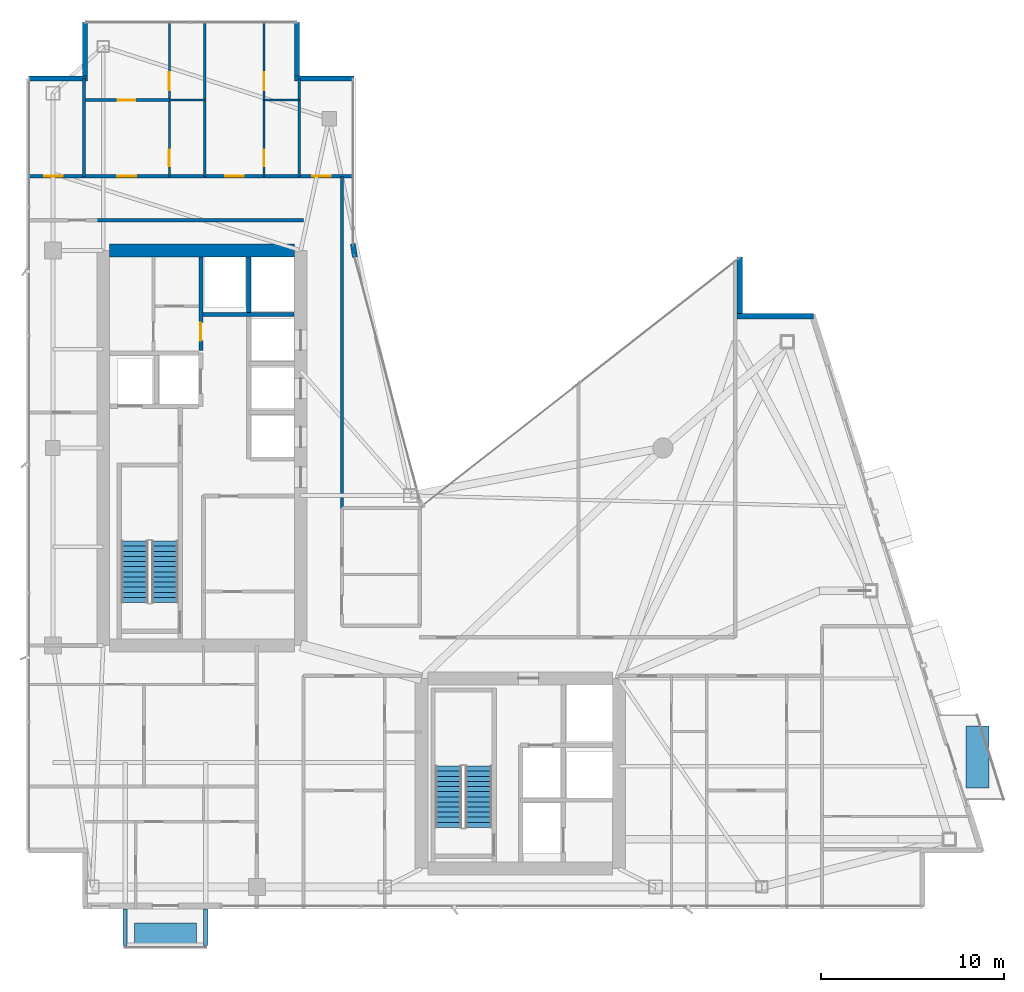
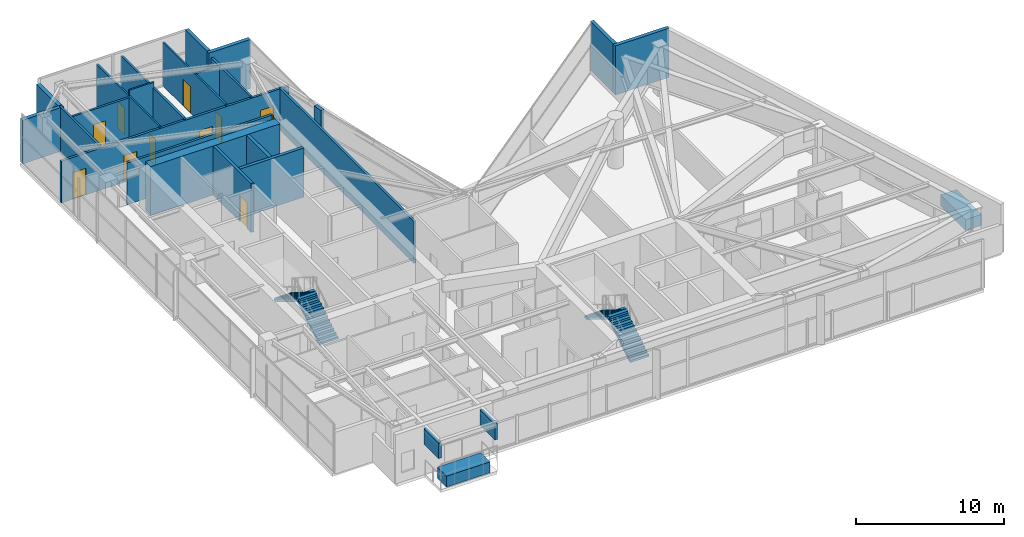
# One storey, part 26 of 29: 22 walls, 10 doors, 4 discrete accessories, 4 stair flights, 10 openings, 2 elements without a shape of their own.
"""IFC4 building model written with IfcOpenShell, lengths in metres."""

import ifcopenshell
import ifcopenshell.guid

model = None  # the IFC model being written
_history = None  # IfcOwnerHistory: only IFC2X3 demands one
_inside = {}  # id of a spatial element -> (the spatial element, [elements in it])
_under = {}  # id of a project, library or spatial element -> (it, [spatial elements below it])
_declared = {}  # id of a project -> (the project, [libraries it declares])
_typed = {}  # id of a type object -> (the type object, [elements of that type])
_made_of = {}  # id of a material, layer set ... -> (it, [elements and type objects made of it])


def new_model(schema):
    """Start an empty IFC model of exactly this schema.

    Asked for "IFC4X3", IfcOpenShell would pick the latest addendum, in which some entities
    have other attributes; the version numbers below select the first issue.
    IFC2X3 requires an IfcOwnerHistory on every rooted entity: one is made here for all.
    """
    global model, _history
    if schema == "IFC4X3":
        model = ifcopenshell.file(schema_version=(4, 3, 0, 0))
    else:
        model = ifcopenshell.file(schema=schema)
    _inside.clear()
    _under.clear()
    _declared.clear()
    _typed.clear()
    _made_of.clear()
    _history = None
    if model.schema == "IFC2X3":
        org = make("IfcOrganization", Name="unknown")
        user = make(
            "IfcPersonAndOrganization",
            ThePerson=make("IfcPerson", FamilyName="unknown"),
            TheOrganization=org,
        )
        app = make(
            "IfcApplication",
            ApplicationDeveloper=org,
            Version="unknown",
            ApplicationFullName="unknown",
            ApplicationIdentifier="unknown",
        )
        _history = make(
            "IfcOwnerHistory",
            OwningUser=user,
            OwningApplication=app,
            ChangeAction="ADDED",
            CreationDate=0,
        )
    return model


def make(cls, **values):
    """One entity of the class cls with the attributes given. An attribute that is None is left unset."""
    return model.create_entity(
        cls, **{name: value for name, value in values.items() if value is not None}
    )


def rooted(cls, **values):
    """An entity with a GlobalId (a new one), such as an element, a storey or a relation."""
    return make(cls, GlobalId=ifcopenshell.guid.new(), OwnerHistory=_history, **values)


def si_unit(unit_type, name, prefix=None):
    """IfcSIUnit, for example si_unit("LENGTHUNIT", "METRE", prefix="MILLI")."""
    return make("IfcSIUnit", UnitType=unit_type, Prefix=prefix, Name=name)


def assignment(units):
    """IfcUnitAssignment: the units of a project."""
    return None if units is None else make("IfcUnitAssignment", Units=units)


def point(xyz):
    """IfcCartesianPoint."""
    return None if xyz is None else make("IfcCartesianPoint", Coordinates=xyz)


def direction(xyz):
    """IfcDirection."""
    return None if xyz is None else make("IfcDirection", DirectionRatios=xyz)


def frame(location, z_axis=None, x_axis=None):
    """IfcAxis2Placement3D, a coordinate frame: its origin and axes. An axis left out is left unset."""
    return make(
        "IfcAxis2Placement3D",
        Location=point(location),
        Axis=direction(z_axis),
        RefDirection=direction(x_axis),
    )


def frame_2d(location, x_axis=None):
    """IfcAxis2Placement2D, a coordinate frame in the plane: its origin and x axis."""
    return make(
        "IfcAxis2Placement2D", Location=point(location), RefDirection=direction(x_axis)
    )


def origin():
    """The frame at (0, 0, 0) with its axes left unset."""
    return frame((0.0, 0.0, 0.0))


def origin_2d():
    """The frame at (0, 0) in the plane with its x axis left unset."""
    return frame_2d((0.0, 0.0))


def place(relative_to, where):
    """IfcLocalPlacement: puts the frame where relative to a parent placement (None: the world)."""
    return make(
        "IfcLocalPlacement", PlacementRelTo=relative_to, RelativePlacement=where
    )


def context(
    kind, dimensions, precision=None, world=None, true_north=None, identifier=None
):
    """IfcGeometricRepresentationContext, for example the 3D "Model" context."""
    return make(
        "IfcGeometricRepresentationContext",
        ContextIdentifier=identifier,
        ContextType=kind,
        CoordinateSpaceDimension=dimensions,
        Precision=precision,
        WorldCoordinateSystem=world,
        TrueNorth=true_north,
    )


def subcontext(parent, identifier, kind, view, scale=None):
    """IfcGeometricRepresentationSubContext, for example "Body" below "Model"."""
    return make(
        "IfcGeometricRepresentationSubContext",
        ContextIdentifier=identifier,
        ContextType=kind,
        ParentContext=parent,
        TargetScale=scale,
        TargetView=view,
    )


def project(units=None, contexts=None):
    """IfcProject with its units and contexts."""
    return rooted(
        "IfcProject",
        Name="project",
        RepresentationContexts=contexts,
        UnitsInContext=assignment(units),
    )


def spatial(cls, under=None, at=None, **own):
    """A site, building, storey or space (cls), placed at a placement, below another one or the project."""
    s = rooted(cls, ObjectPlacement=at, **own)
    if under is not None:
        _under.setdefault(under.id(), (under, []))[1].append(s)
    return s


def polyline(points):
    """IfcPolyline through the points."""
    return make("IfcPolyline", Points=[point(p) for p in points])


def profile(cls, at=None, kind="AREA", **sizes):
    """A parametric profile (cls). Its sizes go by their IFC names, for example OverallWidth=200.0."""
    return make(cls, ProfileType=kind, Position=at, **sizes)


def rectangle(**sizes):
    """IfcRectangleProfileDef."""
    return profile("IfcRectangleProfileDef", **sizes)


def outline(outer, holes=None, kind="AREA"):
    """IfcArbitraryClosedProfileDef: a profile drawn as a closed curve; with holes, ...WithVoids."""
    if holes is None:
        return make("IfcArbitraryClosedProfileDef", ProfileType=kind, OuterCurve=outer)
    return make(
        "IfcArbitraryProfileDefWithVoids",
        ProfileType=kind,
        OuterCurve=outer,
        InnerCurves=holes,
    )


def extrude(swept, where, along, depth):
    """IfcExtrudedAreaSolid: the profile swept, set in the frame where, extruded along a direction by depth."""
    return make(
        "IfcExtrudedAreaSolid",
        SweptArea=swept,
        Position=where,
        ExtrudedDirection=direction(along),
        Depth=depth,
    )


def shape(context_of_items, identifier, shape_type, items):
    """IfcShapeRepresentation: the items that make up one representation, for example the "Body"."""
    return make(
        "IfcShapeRepresentation",
        ContextOfItems=context_of_items,
        RepresentationIdentifier=identifier,
        RepresentationType=shape_type,
        Items=items,
    )


def material(Name=None, Category=None):
    """IfcMaterial."""
    return make("IfcMaterial", Name=Name, Category=Category)


def layer(
    of_material, thickness, ventilated=None, Name=None, Category=None, Priority=None
):
    """IfcMaterialLayer: one layer of a wall or slab, of a material (None: an air gap)."""
    return make(
        "IfcMaterialLayer",
        Material=of_material,
        LayerThickness=thickness,
        IsVentilated=ventilated,
        Name=Name,
        Category=Category,
        Priority=Priority,
    )


def layer_set(layers, Name=None):
    """IfcMaterialLayerSet."""
    return make("IfcMaterialLayerSet", MaterialLayers=layers, LayerSetName=Name)


def made_of(thing, what):
    """Note that an element or type object is made of a material, layer set ...; save() writes the relation."""
    if what is not None:
        _made_of.setdefault(what.id(), (what, []))[1].append(thing)
    return thing


def type_object(cls, material=None, **own):
    """A type object (cls), such as IfcWallType, which elements share."""
    return made_of(rooted(cls, **own), material)


def element(
    cls,
    number,
    at=None,
    inside=None,
    cuts=None,
    type_object=None,
    material=None,
    context=None,
    identifier="Body",
    shape_type=None,
    held_by="IfcProductDefinitionShape",
    body=None,
    shapes=None,
    **own,
):
    """One element of the class cls, such as IfcWall. Its Tag is "e" and its number.

    at: its placement. inside: the storey or other place that contains it. cuts: it is an
    opening in that element (IfcRelVoidsElement). A single representation is given by context,
    identifier, shape_type and body (its items); several are given by shapes. held_by: the class
    of the entity that holds the representations. save() writes the other relations.
    """
    e = rooted(cls, Tag="e%d" % number, ObjectPlacement=at, **own)
    if body is not None:
        shapes = [shape(context, identifier, shape_type, body)]
    if shapes is not None:
        e.Representation = make(held_by, Representations=shapes)
    if inside is not None:
        _inside.setdefault(inside.id(), (inside, []))[1].append(e)
    if cuts is not None:
        rooted(
            "IfcRelVoidsElement", RelatingBuildingElement=cuts, RelatedOpeningElement=e
        )
    if type_object is not None:
        _typed.setdefault(type_object.id(), (type_object, []))[1].append(e)
    return made_of(e, material)


def fill(opening, filler):
    """IfcRelFillsElement: the door or window that sits in an opening."""
    return rooted(
        "IfcRelFillsElement",
        RelatingOpeningElement=opening,
        RelatedBuildingElement=filler,
    )


def aggregate(whole, parts):
    """IfcRelAggregates: a whole, such as a stair, and the parts it consists of."""
    return rooted("IfcRelAggregates", RelatingObject=whole, RelatedObjects=parts)


def save(model, path):
    """Write the relations noted so far, then the file.

    IfcRelAggregates (storeys below a building ...), IfcRelContainedInSpatialStructure (elements
    in a storey), IfcRelDefinesByType, IfcRelAssociatesMaterial and IfcRelDeclares: one each for
    every whole, place, type object, material and project.
    """
    for whole, parts in _under.values():
        aggregate(whole, parts)
    for where, things in _inside.values():
        rooted(
            "IfcRelContainedInSpatialStructure",
            RelatedElements=things,
            RelatingStructure=where,
        )
    for kind, things in _typed.values():
        rooted("IfcRelDefinesByType", RelatedObjects=things, RelatingType=kind)
    for what, things in _made_of.values():
        rooted("IfcRelAssociatesMaterial", RelatedObjects=things, RelatingMaterial=what)
    for by, libraries in _declared.values():
        rooted("IfcRelDeclares", RelatingContext=by, RelatedDefinitions=libraries)
    model.write(path)


model = new_model("IFC4")

# Units and contexts
model_context = context("Model", 3, precision=1e-05, world=origin(), true_north=direction((0.0, 1.0)))
body_context = subcontext(model_context, "Body", "Model", "MODEL_VIEW")
ifc_project = project(units=[si_unit("LENGTHUNIT", "METRE"), si_unit("AREAUNIT", "SQUARE_METRE"), si_unit("VOLUMEUNIT", "CUBIC_METRE"), si_unit("PLANEANGLEUNIT", "RADIAN"), si_unit("MASSUNIT", "GRAM", prefix="KILO")], contexts=[model_context])

# Site, building, storey
site_placement = place(None, origin())
site = spatial("IfcSite", under=ifc_project, at=site_placement, CompositionType="ELEMENT")
building_placement = place(site_placement, origin())
building = spatial("IfcBuilding", under=site, at=building_placement, Name="Calvorn Quay Hotel", CompositionType="ELEMENT")
storey_placement = place(building_placement, frame((0.0, 0.0, 214.800048828125)))
storey = spatial("IfcBuildingStorey", under=building, at=storey_placement, Name="L53", CompositionType="ELEMENT", Elevation=214.800048828125)

# Wall
ifc_material_1 = material(Name="Concrete C45", Category="concrete")
ifc_layer_1 = layer(ifc_material_1, 0.699951171875)
ifc_layer_set_1 = layer_set([ifc_layer_1], Name="WL-CORE-700")
wall_type_1 = type_object("IfcWallType", Name="WL-CORE-700", PredefinedType="SHEAR", material=ifc_layer_set_1)
wall_1_placement = place(storey_placement, frame((4.550048828125, 38.39990234375, 0.0), z_axis=(0.0, 0.0, 1.0), x_axis=(1.0, 0.0, 0.0)))
element("IfcWall", 1, at=wall_1_placement, inside=storey, type_object=wall_type_1, Name="West Core Shear Wall N (L53)", PredefinedType="SHEAR", context=body_context, shape_type="SweptSolid", body=[
    extrude(rectangle(XDim=10.099853515625, YDim=0.699951171875, at=frame_2d((5.0498046875, 0.0))), origin(), (0.0, 0.0, 1.0), 4.050048828125),
])

# Wall, openings, doors
ifc_material_2 = material(Name="Acoustic Fireboard Steel-Stud Partition", Category="steel")
ifc_layer_2 = layer(ifc_material_2, 0.179931640625)
ifc_layer_set_2 = layer_set([ifc_layer_2], Name="WL-CORR-FIRE-180")
wall_type_2 = type_object("IfcWallType", Name="WL-CORR-FIRE-180", PredefinedType="PARTITIONING", material=ifc_layer_set_2)
wall_2_placement = place(storey_placement, frame((0.080078125, 42.449951171875, 0.0), z_axis=(0.0, 0.0, 1.0), x_axis=(1.0, 0.0, 0.0)))
wall_2 = element("IfcWall", 2, at=wall_2_placement, inside=storey, type_object=wall_type_2, Name="Partition Wall L53-WL-CORR-NW-N", PredefinedType="PARTITIONING", context=body_context, shape_type="SweptSolid", body=[
    extrude(rectangle(XDim=17.77001953125, YDim=0.179931640625, at=frame_2d((8.885009765625, 0.0))), origin(), (0.0, 0.0, 1.0), 3.449951171875),
])
opening_1_placement = place(wall_2_placement, frame((0.89990234375, 0.0, 0.0)))
opening_1 = element("IfcOpeningElement", 3, at=opening_1_placement, cuts=wall_2, Name="Opening D-L53-NWW", PredefinedType="OPENING", context=body_context, shape_type="SweptSolid", body=[
    extrude(rectangle(XDim=1.02001953125, YDim=2.199951171875, at=frame_2d((0.510009765625, 1.10009765625))), frame((0.0, 0.099853515625, 0.0), z_axis=(0.0, -1.0, 0.0), x_axis=(1.0, 0.0, 0.0)), (0.0, 0.0, 1.0), 0.199951171875),
])
opening_2_placement = place(wall_2_placement, frame((4.89990234375, 0.0, 0.0)))
opening_2 = element("IfcOpeningElement", 4, at=opening_2_placement, cuts=wall_2, Name="Opening D-L53-U04", PredefinedType="OPENING", context=body_context, shape_type="SweptSolid", body=[
    extrude(rectangle(XDim=1.02001953125, YDim=2.199951171875, at=frame_2d((0.510009765625, 1.10009765625))), frame((0.0, 0.099853515625, 0.0), z_axis=(0.0, -1.0, 0.0), x_axis=(1.0, 0.0, 0.0)), (0.0, 0.0, 1.0), 0.199951171875),
])
opening_3_placement = place(wall_2_placement, frame((10.780029296875, 0.0, 0.0)))
opening_3 = element("IfcOpeningElement", 5, at=opening_3_placement, cuts=wall_2, Name="Opening D-L53-U05", PredefinedType="OPENING", context=body_context, shape_type="SweptSolid", body=[
    extrude(rectangle(XDim=1.02001953125, YDim=2.199951171875, at=frame_2d((0.510009765625, 1.10009765625))), frame((0.0, 0.099853515625, 0.0), z_axis=(0.0, -1.0, 0.0), x_axis=(1.0, 0.0, 0.0)), (0.0, 0.0, 1.0), 0.199951171875),
])
opening_4_placement = place(wall_2_placement, frame((15.550048828125, 0.0, 0.0)))
opening_4 = element("IfcOpeningElement", 6, at=opening_4_placement, cuts=wall_2, Name="Opening D-L53-NWE", PredefinedType="OPENING", context=body_context, shape_type="SweptSolid", body=[
    extrude(rectangle(XDim=1.02001953125, YDim=2.199951171875, at=frame_2d((0.510009765625, 1.10009765625))), frame((0.0, 0.099853515625, 0.0), z_axis=(0.0, -1.0, 0.0), x_axis=(1.0, 0.0, 0.0)), (0.0, 0.0, 1.0), 0.199951171875),
])
ifc_material_3 = material(Name="Solid-Core Walnut Veneer Hotel Fire Door")
door_type_1 = type_object("IfcDoorType", Name="DR-GUEST-ENTRY-1020", OperationType="NOTDEFINED", PredefinedType="DOOR", material=ifc_material_3)
door_1_placement = place(opening_1_placement, origin())
door_1 = element("IfcDoor", 7, at=door_1_placement, inside=storey, type_object=door_type_1, Name="West Corner Study Door (L53)", OperationType="SINGLE_SWING_LEFT", OverallHeight=2.199951171875, OverallWidth=1.02001953125, PredefinedType="DOOR", context=body_context, shape_type="SweptSolid", body=[
    extrude(rectangle(XDim=1.02001953125, YDim=2.199951171875, at=frame_2d((0.510009765625, 1.10009765625))), frame((0.0, 0.02490234375, 0.0), z_axis=(0.0, -1.0, 0.0), x_axis=(1.0, 0.0, 0.0)), (0.0, 0.0, 1.0), 0.050048828125),
])
fill(opening_1, door_1)
door_2_placement = place(opening_2_placement, origin())
door_2 = element("IfcDoor", 8, at=door_2_placement, inside=storey, type_object=door_type_1, Name="North-West Unit Door U04 (L53)", OperationType="SINGLE_SWING_RIGHT", OverallHeight=2.199951171875, OverallWidth=1.02001953125, PredefinedType="DOOR", context=body_context, shape_type="SweptSolid", body=[
    extrude(rectangle(XDim=1.02001953125, YDim=2.199951171875, at=frame_2d((0.510009765625, 1.10009765625))), frame((0.0, 0.02490234375, 0.0), z_axis=(0.0, -1.0, 0.0), x_axis=(1.0, 0.0, 0.0)), (0.0, 0.0, 1.0), 0.050048828125),
])
fill(opening_2, door_2)
door_3_placement = place(opening_3_placement, origin())
door_3 = element("IfcDoor", 9, at=door_3_placement, inside=storey, type_object=door_type_1, Name="North-West Unit Door U05 (L53)", OperationType="SINGLE_SWING_LEFT", OverallHeight=2.199951171875, OverallWidth=1.02001953125, PredefinedType="DOOR", context=body_context, shape_type="SweptSolid", body=[
    extrude(rectangle(XDim=1.02001953125, YDim=2.199951171875, at=frame_2d((0.510009765625, 1.10009765625))), frame((0.0, 0.02490234375, 0.0), z_axis=(0.0, -1.0, 0.0), x_axis=(1.0, 0.0, 0.0)), (0.0, 0.0, 1.0), 0.050048828125),
])
fill(opening_3, door_3)
door_4_placement = place(opening_4_placement, origin())
door_4 = element("IfcDoor", 10, at=door_4_placement, inside=storey, type_object=door_type_1, Name="Inner Court Study Door (L53)", OperationType="SINGLE_SWING_RIGHT", OverallHeight=2.199951171875, OverallWidth=1.02001953125, PredefinedType="DOOR", context=body_context, shape_type="SweptSolid", body=[
    extrude(rectangle(XDim=1.02001953125, YDim=2.199951171875, at=frame_2d((0.510009765625, 1.10009765625))), frame((0.0, 0.02490234375, 0.0), z_axis=(0.0, -1.0, 0.0), x_axis=(1.0, 0.0, 0.0)), (0.0, 0.0, 1.0), 0.050048828125),
])
fill(opening_4, door_4)

# Walls
wall_3_placement = place(storey_placement, frame((17.25, 24.300048828125, 0.0), z_axis=(0.0, 0.0, 1.0), x_axis=(0.0, 1.0, 0.0)))
element("IfcWall", 11, at=wall_3_placement, inside=storey, type_object=wall_type_2, Name="Partition Wall L53-WL-NW-CLOSURE-E", PredefinedType="PARTITIONING", context=body_context, shape_type="SweptSolid", body=[
    extrude(rectangle(XDim=18.14990234375, YDim=0.179931640625, at=frame_2d((9.074951171875, 0.0))), origin(), (0.0, 0.0, 1.0), 3.449951171875),
])
wall_4_placement = place(storey_placement, frame((3.830078125, 40.050048828125, 0.0), z_axis=(0.0, 0.0, 1.0), x_axis=(1.0, 0.0, 0.0)))
element("IfcWall", 12, at=wall_4_placement, inside=storey, type_object=wall_type_2, Name="Partition Wall L53-WL-W-SPUR-S", PredefinedType="PARTITIONING", context=body_context, shape_type="SweptSolid", body=[
    extrude(rectangle(XDim=11.31982421875, YDim=0.179931640625, at=frame_2d((5.659912109375, 0.0))), origin(), (0.0, 0.0, 1.0), 3.449951171875),
])
ifc_material_4 = material(Name="Moisture-Resistant Tile-Backed Partition")
ifc_layer_3 = layer(ifc_material_4, 0.125)
ifc_layer_set_3 = layer_set([ifc_layer_3], Name="WL-ENSUITE-125")
wall_type_3 = type_object("IfcWallType", Name="WL-ENSUITE-125", PredefinedType="PARTITIONING", material=ifc_layer_set_3)
wall_5_placement = place(storey_placement, frame((7.820068359375, 46.6201171875, 0.0), z_axis=(0.0, 0.0, 1.0), x_axis=(1.0, 0.0, 0.0)))
element("IfcWall", 13, at=wall_5_placement, inside=storey, type_object=wall_type_3, Name="Partition Wall L53-WL-U04-BDV", PredefinedType="PARTITIONING", context=body_context, shape_type="SweptSolid", body=[
    extrude(rectangle(XDim=1.929931640625, YDim=0.125, at=frame_2d((0.96484375, 0.0))), origin(), (0.0, 0.0, 1.0), 4.050048828125),
])

# Wall, openings, doors
wall_6_placement = place(storey_placement, frame((7.820068359375, 42.449951171875, 0.0), z_axis=(0.0, 0.0, 1.0), x_axis=(0.0, 1.0, 0.0)))
wall_6 = element("IfcWall", 14, at=wall_6_placement, inside=storey, type_object=wall_type_3, Name="Partition Wall L53-WL-U04-BV", PredefinedType="PARTITIONING", context=body_context, shape_type="SweptSolid", body=[
    extrude(rectangle(XDim=8.489990234375, YDim=0.125, at=frame_2d((4.2451171875, 0.0))), origin(), (0.0, 0.0, 1.0), 3.599853515625),
])
opening_5_placement = place(wall_6_placement, frame((0.550048828125, 0.0, 0.0)))
opening_5 = element("IfcOpeningElement", 15, at=opening_5_placement, cuts=wall_6, Name="Opening D-L53-E04", PredefinedType="OPENING", context=body_context, shape_type="SweptSolid", body=[
    extrude(rectangle(XDim=0.89990234375, YDim=2.14990234375, at=frame_2d((0.449951171875, 1.074951171875))), frame((0.0, 0.072509765625, 0.0), z_axis=(0.0, -1.0, 0.0), x_axis=(1.0, 0.0, 0.0)), (0.0, 0.0, 1.0), 0.14501953125),
])
opening_6_placement = place(wall_6_placement, frame((4.719970703125, 0.0, 0.0)))
opening_6 = element("IfcOpeningElement", 16, at=opening_6_placement, cuts=wall_6, Name="Opening D-L53-S04", PredefinedType="OPENING", context=body_context, shape_type="SweptSolid", body=[
    extrude(rectangle(XDim=0.9599609375, YDim=2.199951171875, at=frame_2d((0.47998046875, 1.10009765625))), frame((0.0, 0.072509765625, 0.0), z_axis=(0.0, -1.0, 0.0), x_axis=(1.0, 0.0, 0.0)), (0.0, 0.0, 1.0), 0.14501953125),
])
ifc_material_5 = material(Name="Moisture-Sealed Timber En-Suite Door", Category="wood")
door_type_2 = type_object("IfcDoorType", Name="DR-ENSUITE-900", OperationType="NOTDEFINED", PredefinedType="DOOR", material=ifc_material_5)
door_5_placement = place(opening_5_placement, origin())
door_5 = element("IfcDoor", 17, at=door_5_placement, inside=storey, type_object=door_type_2, Name="En-Suite Door 04", OperationType="SINGLE_SWING_LEFT", OverallHeight=2.14990234375, OverallWidth=0.89990234375, PredefinedType="DOOR", context=body_context, shape_type="SweptSolid", body=[
    extrude(rectangle(XDim=0.89990234375, YDim=2.14990234375, at=frame_2d((0.449951171875, 1.074951171875))), frame((0.0, 0.02490234375, 0.0), z_axis=(0.0, -1.0, 0.0), x_axis=(1.0, 0.0, 0.0)), (0.0, 0.0, 1.0), 0.050048828125),
])
fill(opening_5, door_5)
ifc_material_6 = material(Name="Solid Timber Internal Suite Door", Category="wood")
door_type_3 = type_object("IfcDoorType", Name="DR-SUITE-INT-960", OperationType="NOTDEFINED", PredefinedType="DOOR", material=ifc_material_6)
door_6_placement = place(opening_6_placement, origin())
door_6 = element("IfcDoor", 18, at=door_6_placement, inside=storey, type_object=door_type_3, Name="Walk-In Wardrobe Door 04", OperationType="SINGLE_SWING_RIGHT", OverallHeight=2.199951171875, OverallWidth=0.9599609375, PredefinedType="DOOR", context=body_context, shape_type="SweptSolid", body=[
    extrude(rectangle(XDim=0.9599609375, YDim=2.199951171875, at=frame_2d((0.47998046875, 1.10009765625))), frame((0.0, 0.02490234375, 0.0), z_axis=(0.0, -1.0, 0.0), x_axis=(1.0, 0.0, 0.0)), (0.0, 0.0, 1.0), 0.050048828125),
])
fill(opening_6, door_6)

# Wall
wall_7_placement = place(storey_placement, frame((12.989990234375, 46.6201171875, 0.0), z_axis=(0.0, 0.0, 1.0), x_axis=(1.0, 0.0, 0.0)))
element("IfcWall", 19, at=wall_7_placement, inside=storey, type_object=wall_type_3, Name="Partition Wall L53-WL-U05-BDV", PredefinedType="PARTITIONING", context=body_context, shape_type="SweptSolid", body=[
    extrude(rectangle(XDim=1.929931640625, YDim=0.125, at=frame_2d((0.96484375, 0.0))), origin(), (0.0, 0.0, 1.0), 3.599853515625),
])

# Wall, openings, doors
wall_8_placement = place(storey_placement, frame((12.989990234375, 42.449951171875, 0.0), z_axis=(0.0, 0.0, 1.0), x_axis=(0.0, 1.0, 0.0)))
wall_8 = element("IfcWall", 20, at=wall_8_placement, inside=storey, type_object=wall_type_3, Name="Partition Wall L53-WL-U05-BV", PredefinedType="PARTITIONING", context=body_context, shape_type="SweptSolid", body=[
    extrude(rectangle(XDim=8.489990234375, YDim=0.125, at=frame_2d((4.2451171875, 0.0))), origin(), (0.0, 0.0, 1.0), 3.599853515625),
])
opening_7_placement = place(wall_8_placement, frame((0.550048828125, 0.0, 0.0)))
opening_7 = element("IfcOpeningElement", 21, at=opening_7_placement, cuts=wall_8, Name="Opening D-L53-E05", PredefinedType="OPENING", context=body_context, shape_type="SweptSolid", body=[
    extrude(rectangle(XDim=0.89990234375, YDim=2.14990234375, at=frame_2d((0.449951171875, 1.074951171875))), frame((0.0, 0.072509765625, 0.0), z_axis=(0.0, -1.0, 0.0), x_axis=(1.0, 0.0, 0.0)), (0.0, 0.0, 1.0), 0.14501953125),
])
opening_8_placement = place(wall_8_placement, frame((4.719970703125, 0.0, 0.0)))
opening_8 = element("IfcOpeningElement", 22, at=opening_8_placement, cuts=wall_8, Name="Opening D-L53-S05", PredefinedType="OPENING", context=body_context, shape_type="SweptSolid", body=[
    extrude(rectangle(XDim=0.9599609375, YDim=2.199951171875, at=frame_2d((0.47998046875, 1.10009765625))), frame((0.0, 0.072509765625, 0.0), z_axis=(0.0, -1.0, 0.0), x_axis=(1.0, 0.0, 0.0)), (0.0, 0.0, 1.0), 0.14501953125),
])
door_7_placement = place(opening_7_placement, origin())
door_7 = element("IfcDoor", 23, at=door_7_placement, inside=storey, type_object=door_type_2, Name="En-Suite Door 05", OperationType="SINGLE_SWING_LEFT", OverallHeight=2.14990234375, OverallWidth=0.89990234375, PredefinedType="DOOR", context=body_context, shape_type="SweptSolid", body=[
    extrude(rectangle(XDim=0.89990234375, YDim=2.14990234375, at=frame_2d((0.449951171875, 1.074951171875))), frame((0.0, 0.02490234375, 0.0), z_axis=(0.0, -1.0, 0.0), x_axis=(1.0, 0.0, 0.0)), (0.0, 0.0, 1.0), 0.050048828125),
])
fill(opening_7, door_7)
door_8_placement = place(opening_8_placement, origin())
door_8 = element("IfcDoor", 24, at=door_8_placement, inside=storey, type_object=door_type_3, Name="Walk-In Wardrobe Door 05", OperationType="SINGLE_SWING_RIGHT", OverallHeight=2.199951171875, OverallWidth=0.9599609375, PredefinedType="DOOR", context=body_context, shape_type="SweptSolid", body=[
    extrude(rectangle(XDim=0.9599609375, YDim=2.199951171875, at=frame_2d((0.47998046875, 1.10009765625))), frame((0.0, 0.02490234375, 0.0), z_axis=(0.0, -1.0, 0.0), x_axis=(1.0, 0.0, 0.0)), (0.0, 0.0, 1.0), 0.050048828125),
])
fill(opening_8, door_8)

# Walls
ifc_material_7 = material(Name="Concrete C40", Category="concrete")
ifc_layer_4 = layer(ifc_material_7, 0.320068359375)
ifc_layer_set_4 = layer_set([ifc_layer_4], Name="WL-EXT-SPANDREL-320")
wall_type_4 = type_object("IfcWallType", Name="WL-EXT-SPANDREL-320", PredefinedType="SOLIDWALL", material=ifc_layer_set_4)
wall_9_placement = place(storey_placement, frame((17.9619140625, 38.030029296875, 0.0), z_axis=(0.0, 0.0, 1.0), x_axis=(-0.15141125477, 0.988470855377, 0.0)))
element("IfcWall", 25, at=wall_9_placement, inside=storey, type_object=wall_type_4, Name="Inner Court Corner Pier L53-ICJ2", PredefinedType="SOLIDWALL", context=body_context, shape_type="SweptSolid", body=[
    extrude(rectangle(XDim=0.738525390625, YDim=0.280029296875, at=frame_2d((0.369140625, 0.0))), origin(), (0.0, 0.0, 1.0), 4.050048828125),
])
wall_10_placement = place(storey_placement, frame((43.0400390625, 34.800048828125, 0.0), z_axis=(0.0, 0.0, 1.0), x_axis=(-1.0, 0.0, 0.0)))
element("IfcWall", 26, at=wall_10_placement, inside=storey, type_object=wall_type_4, Name="Notched Corner Spandrel L53-NE1", PredefinedType="SOLIDWALL", context=body_context, shape_type="SweptSolid", body=[
    extrude(rectangle(XDim=4.179931640625, YDim=0.280029296875, at=frame_2d((2.08984375, 0.0))), origin(), (0.0, 0.0, 1.0), 4.050048828125),
])
wall_11_placement = place(storey_placement, frame((39.0, 34.93994140625, 0.0), z_axis=(0.0, 0.0, 1.0), x_axis=(0.0, 1.0, 0.0)))
element("IfcWall", 27, at=wall_11_placement, inside=storey, type_object=wall_type_4, Name="Notched Corner Spandrel L53-NE2", PredefinedType="SOLIDWALL", context=body_context, shape_type="SweptSolid", body=[
    extrude(rectangle(XDim=3.10009765625, YDim=0.280029296875, at=frame_2d((1.550048828125, 0.0))), origin(), (0.0, 0.0, 1.0), 4.050048828125),
])
wall_12_placement = place(storey_placement, frame((17.89990234375, 47.800048828125, 0.0), z_axis=(0.0, 0.0, 1.0), x_axis=(-1.0, 0.0, 0.0)))
element("IfcWall", 28, at=wall_12_placement, inside=storey, type_object=wall_type_4, Name="Notched Corner Spandrel L53-NWE1", PredefinedType="SOLIDWALL", context=body_context, shape_type="SweptSolid", body=[
    extrude(rectangle(XDim=3.239990234375, YDim=0.280029296875, at=frame_2d((1.6201171875, 0.0))), origin(), (0.0, 0.0, 1.0), 4.050048828125),
])
wall_13_placement = place(storey_placement, frame((14.800048828125, 47.93994140625, 0.0), z_axis=(0.0, 0.0, 1.0), x_axis=(0.0, 1.0, 0.0)))
element("IfcWall", 29, at=wall_13_placement, inside=storey, type_object=wall_type_4, Name="Notched Corner Spandrel L53-NWE2", PredefinedType="SOLIDWALL", context=body_context, shape_type="SweptSolid", body=[
    extrude(rectangle(XDim=2.93994140625, YDim=0.280029296875, at=frame_2d((1.469970703125, 0.0))), origin(), (0.0, 0.0, 1.0), 4.050048828125),
])
wall_14_placement = place(storey_placement, frame((3.199951171875, 50.8798828125, 0.0), z_axis=(0.0, 0.0, 1.0), x_axis=(0.0, -1.0, 0.0)))
element("IfcWall", 30, at=wall_14_placement, inside=storey, type_object=wall_type_4, Name="Notched Corner Spandrel L53-NW1", PredefinedType="SOLIDWALL", context=body_context, shape_type="SweptSolid", body=[
    extrude(rectangle(XDim=2.93994140625, YDim=0.280029296875, at=frame_2d((1.469970703125, 0.0))), origin(), (0.0, 0.0, 1.0), 3.599853515625),
])
wall_15_placement = place(storey_placement, frame((3.340087890625, 47.800048828125, 0.0), z_axis=(0.0, 0.0, 1.0), x_axis=(-1.0, 0.0, 0.0)))
element("IfcWall", 31, at=wall_15_placement, inside=storey, type_object=wall_type_4, Name="Notched Corner Spandrel L53-NW2", PredefinedType="SOLIDWALL", context=body_context, shape_type="SweptSolid", body=[
    extrude(rectangle(XDim=3.219970703125, YDim=0.280029296875, at=frame_2d((1.60986328125, 0.0))), origin(), (0.0, 0.0, 1.0), 3.599853515625),
])
ifc_material_8 = material(Name="Double-Stud Acoustic Gypsum Partition")
ifc_layer_5 = layer(ifc_material_8, 0.159912109375)
ifc_layer_set_5 = layer_set([ifc_layer_5], Name="WL-INTERSUITE-160")
wall_type_5 = type_object("IfcWallType", Name="WL-INTERSUITE-160", PredefinedType="PARTITIONING", material=ifc_layer_set_5)
wall_16_placement = place(storey_placement, frame((3.14990234375, 42.449951171875, 0.0), z_axis=(0.0, 0.0, 1.0), x_axis=(0.0, 1.0, 0.0)))
element("IfcWall", 32, at=wall_16_placement, inside=storey, type_object=wall_type_5, Name="Partition Wall L53-WL-NW-DIV-W0", PredefinedType="PARTITIONING", context=body_context, shape_type="SweptSolid", body=[
    extrude(rectangle(XDim=5.35009765625, YDim=0.159912109375, at=frame_2d((2.675048828125, 0.0))), origin(), (0.0, 0.0, 1.0), 3.64990234375),
])
wall_17_placement = place(storey_placement, frame((14.919921875, 42.449951171875, 0.0), z_axis=(0.0, 0.0, 1.0), x_axis=(0.0, 1.0, 0.0)))
element("IfcWall", 33, at=wall_17_placement, inside=storey, type_object=wall_type_5, Name="Partition Wall L53-WL-NW-DIV-E0", PredefinedType="PARTITIONING", context=body_context, shape_type="SweptSolid", body=[
    extrude(rectangle(XDim=5.35009765625, YDim=0.159912109375, at=frame_2d((2.675048828125, 0.0))), origin(), (0.0, 0.0, 1.0), 3.599853515625),
])

# Wall, opening, door
wall_18_placement = place(storey_placement, frame((3.14990234375, 46.6201171875, 0.0), z_axis=(0.0, 0.0, 1.0), x_axis=(1.0, 0.0, 0.0)))
wall_18 = element("IfcWall", 34, at=wall_18_placement, inside=storey, type_object=wall_type_5, Name="Partition Wall L53-WL-U04-MSP", PredefinedType="PARTITIONING", context=body_context, shape_type="SweptSolid", body=[
    extrude(rectangle(XDim=4.670166015625, YDim=0.159912109375, at=frame_2d((2.3349609375, 0.0))), origin(), (0.0, 0.0, 1.0), 3.449951171875),
])
opening_9_placement = place(wall_18_placement, frame((1.85009765625, 0.0, 0.0)))
opening_9 = element("IfcOpeningElement", 35, at=opening_9_placement, cuts=wall_18, Name="Opening D-L53-M04", PredefinedType="OPENING", context=body_context, shape_type="SweptSolid", body=[
    extrude(rectangle(XDim=0.9599609375, YDim=2.199951171875, at=frame_2d((0.47998046875, 1.10009765625))), frame((0.0, 0.08984375, 0.0), z_axis=(0.0, -1.0, 0.0), x_axis=(1.0, 0.0, 0.0)), (0.0, 0.0, 1.0), 0.179931640625),
])
door_9_placement = place(opening_9_placement, origin())
door_9 = element("IfcDoor", 36, at=door_9_placement, inside=storey, type_object=door_type_3, Name="Suite Bedroom Door 04", OperationType="SINGLE_SWING_LEFT", OverallHeight=2.199951171875, OverallWidth=0.9599609375, PredefinedType="DOOR", context=body_context, shape_type="SweptSolid", body=[
    extrude(rectangle(XDim=0.9599609375, YDim=2.199951171875, at=frame_2d((0.47998046875, 1.10009765625))), frame((0.0, 0.02490234375, 0.0), z_axis=(0.0, -1.0, 0.0), x_axis=(1.0, 0.0, 0.0)), (0.0, 0.0, 1.0), 0.050048828125),
])
fill(opening_9, door_9)

# Wall
wall_19_placement = place(storey_placement, frame((9.75, 42.449951171875, 0.0), z_axis=(0.0, 0.0, 1.0), x_axis=(0.0, 1.0, 0.0)))
element("IfcWall", 37, at=wall_19_placement, inside=storey, type_object=wall_type_5, Name="Partition Wall L53-WL-NW-DIV-1", PredefinedType="PARTITIONING", context=body_context, shape_type="SweptSolid", body=[
    extrude(rectangle(XDim=8.489990234375, YDim=0.159912109375, at=frame_2d((4.2451171875, 0.0))), origin(), (0.0, 0.0, 1.0), 3.599853515625),
])

# Wall, opening, door
ifc_material_9 = material(Name="Autoclaved Aerated Masonry Block", Category="masonry")
ifc_layer_6 = layer(ifc_material_9, 0.219970703125)
ifc_layer_set_6 = layer_set([ifc_layer_6], Name="WL-LOBBY-FIRE-220")
wall_type_6 = type_object("IfcWallType", Name="WL-LOBBY-FIRE-220", PredefinedType="SOLIDWALL", material=ifc_layer_set_6)
wall_20_placement = place(storey_placement, frame((9.5400390625, 32.919921875, 0.0), z_axis=(0.0, 0.0, 1.0), x_axis=(0.0, 1.0, 0.0)))
wall_20 = element("IfcWall", 38, at=wall_20_placement, inside=storey, type_object=wall_type_6, Name="Partition Wall L53-WL-CWW-K-E", PredefinedType="SOLIDWALL", context=body_context, shape_type="SweptSolid", body=[
    extrude(rectangle(XDim=5.110107421875, YDim=0.219970703125, at=frame_2d((2.55517578125, 0.0))), origin(), (0.0, 0.0, 1.0), 4.050048828125),
])
opening_10_placement = place(wall_20_placement, frame((0.550048828125, 0.0, 0.0)))
opening_10 = element("IfcOpeningElement", 39, at=opening_10_placement, cuts=wall_20, Name="Opening D-L53-CK2", PredefinedType="OPENING", context=body_context, shape_type="SweptSolid", body=[
    extrude(rectangle(XDim=0.97998046875, YDim=2.14990234375, at=frame_2d((0.489990234375, 1.074951171875))), frame((0.0, 0.119873046875, 0.0), z_axis=(0.0, -1.0, 0.0), x_axis=(1.0, 0.0, 0.0)), (0.0, 0.0, 1.0), 0.239990234375),
])
ifc_material_10 = material(Name="Painted Steel Housekeeping/Riser Fire Door", Category="steel")
door_type_4 = type_object("IfcDoorType", Name="DR-SERVICE-980", OperationType="NOTDEFINED", PredefinedType="DOOR", material=ifc_material_10)
door_10_placement = place(opening_10_placement, origin())
door_10 = element("IfcDoor", 40, at=door_10_placement, inside=storey, type_object=door_type_4, Name="Valet Closet Door (L53)", OperationType="SINGLE_SWING_LEFT", OverallHeight=2.14990234375, OverallWidth=0.97998046875, PredefinedType="DOOR", context=body_context, shape_type="SweptSolid", body=[
    extrude(rectangle(XDim=0.97998046875, YDim=2.14990234375, at=frame_2d((0.489990234375, 1.074951171875))), frame((0.0, 0.02490234375, 0.0), z_axis=(0.0, -1.0, 0.0), x_axis=(1.0, 0.0, 0.0)), (0.0, 0.0, 1.0), 0.050048828125),
])
fill(opening_10, door_10)

# Walls
ifc_material_11 = material(Name="Concrete C40", Category="concrete")
ifc_layer_7 = layer(ifc_material_11, 0.239990234375)
ifc_layer_set_7 = layer_set([ifc_layer_7], Name="WL-SHAFT-240")
wall_type_7 = type_object("IfcWallType", Name="WL-SHAFT-240", PredefinedType="SOLIDWALL", material=ifc_layer_set_7)
wall_21_placement = place(storey_placement, frame((9.659912109375, 34.89990234375, 0.0), z_axis=(0.0, 0.0, 1.0), x_axis=(1.0, 0.0, 0.0)))
element("IfcWall", 41, at=wall_21_placement, inside=storey, type_object=wall_type_7, Name="Partition Wall L53-WL-CWW-PLH-S", PredefinedType="SOLIDWALL", context=body_context, shape_type="SweptSolid", body=[
    extrude(rectangle(XDim=4.969970703125, YDim=0.239990234375, at=frame_2d((2.48486328125, 0.0))), origin(), (0.0, 0.0, 1.0), 4.050048828125),
])
wall_22_placement = place(storey_placement, frame((12.14990234375, 35.02001953125, 0.0), z_axis=(0.0, 0.0, 1.0), x_axis=(0.0, 1.0, 0.0)))
element("IfcWall", 42, at=wall_22_placement, inside=storey, type_object=wall_type_7, Name="Partition Wall L53-WL-CWW-PLH-DIV", PredefinedType="SOLIDWALL", context=body_context, shape_type="SweptSolid", body=[
    extrude(rectangle(XDim=3.010009765625, YDim=0.239990234375, at=frame_2d((1.5048828125, 0.0))), origin(), (0.0, 0.0, 1.0), 4.050048828125),
])

# Stair, stair flights
ifc_material_12 = material(Name="Concrete C40", Category="concrete")
stair_type = type_object("IfcStairType", Name="STR-CORE-DOGLEG", PredefinedType="HALF_TURN_STAIR", material=ifc_material_12)
stair_1_placement = place(storey_placement, origin())
stair_1 = element("IfcStair", 43, at=stair_1_placement, inside=storey, type_object=stair_type, Name="L53 ST-W", PredefinedType="HALF_TURN_STAIR")
ifc_material_13 = material(Name="Concrete C40", Category="concrete")
stair_flight_type = type_object("IfcStairFlightType", Name="FLT-CORE-1550", PredefinedType="STRAIGHT", material=ifc_material_13)
stair_flight_1_placement = place(storey_placement, frame((7.574951171875, 19.14990234375, 0.0), z_axis=(0.0, 0.0, 1.0), x_axis=(0.0, 1.0, 0.0)))
stair_flight_1 = element("IfcStairFlight", 44, at=stair_flight_1_placement, type_object=stair_flight_type, Name="ST-W flight 1", NumberOfRisers=13, NumberOfTreads=12, PredefinedType="STRAIGHT", RiserHeight=0.173076923, TreadLength=0.28, context=body_context, shape_type="SweptSolid", body=[
    extrude(outline(polyline([(0.0, 0.0), (0.0, 0.173095703125), (0.280029296875, 0.173095703125), (0.280029296875, 0.34619140625), (0.56005859375, 0.34619140625), (0.56005859375, 0.519287109375), (0.840087890625, 0.519287109375), (0.840087890625, 0.6923828125), (1.1201171875, 0.6923828125), (1.1201171875, 0.865478515625), (1.39990234375, 0.865478515625), (1.39990234375, 1.03857421875), (1.679931640625, 1.03857421875), (1.679931640625, 1.21142578125), (1.9599609375, 1.21142578125), (1.9599609375, 1.384521484375), (2.239990234375, 1.384521484375), (2.239990234375, 1.5576171875), (2.52001953125, 1.5576171875), (2.52001953125, 1.730712890625), (2.800048828125, 1.730712890625), (2.800048828125, 1.90380859375), (3.080078125, 1.90380859375), (3.080078125, 2.076904296875), (3.360107421875, 2.076904296875), (3.360107421875, 2.25), (3.360107421875, 1.900634765625), (0.28515625, 0.0), (0.0, 0.0)])), frame((0.0, 0.72509765625, 0.0), z_axis=(0.0, -1.0, 0.0), x_axis=(1.0, 0.0, 0.0)), (0.0, 0.0, 1.0), 1.449951171875),
])
stair_flight_2_placement = place(storey_placement, frame((5.925048828125, 22.510009765625, 2.25), z_axis=(0.0, 0.0, 1.0), x_axis=(0.0, -1.0, 0.0)))
stair_flight_2 = element("IfcStairFlight", 45, at=stair_flight_2_placement, type_object=stair_flight_type, Name="ST-W flight 2", NumberOfRisers=13, NumberOfTreads=12, PredefinedType="STRAIGHT", RiserHeight=0.173076923, TreadLength=0.28, context=body_context, shape_type="SweptSolid", body=[
    extrude(outline(polyline([(0.0, 0.0), (0.0, 0.173095703125), (0.280029296875, 0.173095703125), (0.280029296875, 0.34619140625), (0.56005859375, 0.34619140625), (0.56005859375, 0.519287109375), (0.840087890625, 0.519287109375), (0.840087890625, 0.6923828125), (1.1201171875, 0.6923828125), (1.1201171875, 0.865478515625), (1.39990234375, 0.865478515625), (1.39990234375, 1.03857421875), (1.679931640625, 1.03857421875), (1.679931640625, 1.21142578125), (1.9599609375, 1.21142578125), (1.9599609375, 1.384521484375), (2.239990234375, 1.384521484375), (2.239990234375, 1.5576171875), (2.52001953125, 1.5576171875), (2.52001953125, 1.730712890625), (2.800048828125, 1.730712890625), (2.800048828125, 1.90380859375), (3.080078125, 1.90380859375), (3.080078125, 2.076904296875), (3.360107421875, 2.076904296875), (3.360107421875, 2.25), (3.360107421875, 1.900634765625), (0.28515625, 0.0), (0.0, 0.0)])), frame((0.0, 0.72509765625, 0.0), z_axis=(0.0, -1.0, 0.0), x_axis=(1.0, 0.0, 0.0)), (0.0, 0.0, 1.0), 1.449951171875),
])
aggregate(stair_1, [stair_flight_1, stair_flight_2])

stair_2_placement = place(storey_placement, origin())
stair_2 = element("IfcStair", 46, at=stair_2_placement, inside=storey, type_object=stair_type, Name="L53 ST-E", PredefinedType="HALF_TURN_STAIR")
stair_flight_3_placement = place(storey_placement, frame((24.72509765625, 6.85009765625, 0.0), z_axis=(0.0, 0.0, 1.0), x_axis=(0.0, 1.0, 0.0)))
stair_flight_3 = element("IfcStairFlight", 47, at=stair_flight_3_placement, type_object=stair_flight_type, Name="ST-E flight 1", NumberOfRisers=13, NumberOfTreads=12, PredefinedType="STRAIGHT", RiserHeight=0.173076923, TreadLength=0.28, context=body_context, shape_type="SweptSolid", body=[
    extrude(outline(polyline([(0.0, 0.0), (0.0, 0.173095703125), (0.280029296875, 0.173095703125), (0.280029296875, 0.34619140625), (0.56005859375, 0.34619140625), (0.56005859375, 0.519287109375), (0.840087890625, 0.519287109375), (0.840087890625, 0.6923828125), (1.1201171875, 0.6923828125), (1.1201171875, 0.865478515625), (1.39990234375, 0.865478515625), (1.39990234375, 1.03857421875), (1.679931640625, 1.03857421875), (1.679931640625, 1.21142578125), (1.9599609375, 1.21142578125), (1.9599609375, 1.384521484375), (2.239990234375, 1.384521484375), (2.239990234375, 1.5576171875), (2.52001953125, 1.5576171875), (2.52001953125, 1.730712890625), (2.800048828125, 1.730712890625), (2.800048828125, 1.90380859375), (3.080078125, 1.90380859375), (3.080078125, 2.076904296875), (3.360107421875, 2.076904296875), (3.360107421875, 2.25), (3.360107421875, 1.900634765625), (0.28515625, 0.0), (0.0, 0.0)])), frame((0.0, 0.72509765625, 0.0), z_axis=(0.0, -1.0, 0.0), x_axis=(1.0, 0.0, 0.0)), (0.0, 0.0, 1.0), 1.449951171875),
])
stair_flight_4_placement = place(storey_placement, frame((23.074951171875, 10.2099609375, 2.25), z_axis=(0.0, 0.0, 1.0), x_axis=(0.0, -1.0, 0.0)))
stair_flight_4 = element("IfcStairFlight", 48, at=stair_flight_4_placement, type_object=stair_flight_type, Name="ST-E flight 2", NumberOfRisers=13, NumberOfTreads=12, PredefinedType="STRAIGHT", RiserHeight=0.173076923, TreadLength=0.28, context=body_context, shape_type="SweptSolid", body=[
    extrude(outline(polyline([(0.0, 0.0), (0.0, 0.173095703125), (0.280029296875, 0.173095703125), (0.280029296875, 0.34619140625), (0.56005859375, 0.34619140625), (0.56005859375, 0.519287109375), (0.840087890625, 0.519287109375), (0.840087890625, 0.6923828125), (1.1201171875, 0.6923828125), (1.1201171875, 0.865478515625), (1.39990234375, 0.865478515625), (1.39990234375, 1.03857421875), (1.679931640625, 1.03857421875), (1.679931640625, 1.21142578125), (1.9599609375, 1.21142578125), (1.9599609375, 1.384521484375), (2.239990234375, 1.384521484375), (2.239990234375, 1.5576171875), (2.52001953125, 1.5576171875), (2.52001953125, 1.730712890625), (2.800048828125, 1.730712890625), (2.800048828125, 1.90380859375), (3.080078125, 1.90380859375), (3.080078125, 2.076904296875), (3.360107421875, 2.076904296875), (3.360107421875, 2.25), (3.360107421875, 1.900634765625), (0.28515625, 0.0), (0.0, 0.0)])), frame((0.0, 0.72509765625, 0.0), z_axis=(0.0, -1.0, 0.0), x_axis=(1.0, 0.0, 0.0)), (0.0, 0.0, 1.0), 1.449951171875),
])
aggregate(stair_2, [stair_flight_3, stair_flight_4])

# Discrete accessories
ifc_material_14 = material(Name="Steel Q355B", Category="steel")
discrete_accessory_type_1 = type_object("IfcDiscreteAccessoryType", Name="ACC-BALC-STRUT", PredefinedType="BRACKET", material=ifc_material_14)
for number, where, z_axis, x_axis, name in (
    (49, (5.39990234375, 1.405029296875, 2.52490234375), (0.0, 0.0, 1.0), (1.0, 0.0, 0.0), "Exterior Balcony Steel Bracket L54-BALC-S-A"),
    (50, (9.800048828125, 1.405029296875, 2.52490234375), (0.0, 0.0, 1.0), (1.0, 0.0, 0.0), "Exterior Balcony Steel Bracket L54-BALC-S-B"),
):
    element("IfcDiscreteAccessory", number, at=place(storey_placement, frame(where, z_axis=z_axis, x_axis=x_axis)), inside=storey, type_object=discrete_accessory_type_1, Name=name, PredefinedType="BRACKET", context=body_context, shape_type="SweptSolid", body=[
        extrude(rectangle(XDim=0.219970703125, YDim=1.989990234375, at=origin_2d()), origin(), (0.0, 0.0, 1.0), 1.300048828125),
    ])
ifc_material_15 = material(Name="Precast concrete C40", Category="concrete")
discrete_accessory_type_2 = type_object("IfcDiscreteAccessoryType", Name="ACC-TREE-PLANTER", PredefinedType="USERDEFINED", material=ifc_material_15)
discrete_accessory_1_placement = place(storey_placement, frame((52.0029296875, 10.699951171875, 0.0), z_axis=(0.0, 0.0, 1.0), x_axis=(1.0, 0.0, 0.0)))
element("IfcDiscreteAccessory", 51, at=discrete_accessory_1_placement, inside=storey, type_object=discrete_accessory_type_2, Name="Subtropical Tree Structural Planter L53-BALC-E", ObjectType="PLANTER", PredefinedType="USERDEFINED", context=body_context, shape_type="SweptSolid", body=[
    extrude(rectangle(XDim=1.25, YDim=3.39990234375, at=origin_2d()), origin(), (0.0, 0.0, 1.0), 0.89990234375),
])
discrete_accessory_2_placement = place(storey_placement, frame((7.60009765625, 0.989990234375, 0.0), z_axis=(0.0, 0.0, 1.0), x_axis=(1.0, 0.0, 0.0)))
element("IfcDiscreteAccessory", 52, at=discrete_accessory_2_placement, inside=storey, type_object=discrete_accessory_type_2, Name="Subtropical Tree Structural Planter L53-BALC-S", ObjectType="PLANTER", PredefinedType="USERDEFINED", context=body_context, shape_type="SweptSolid", body=[
    extrude(rectangle(XDim=3.39990234375, YDim=1.25, at=origin_2d()), origin(), (0.0, 0.0, 1.0), 0.89990234375),
])

save(model, "model.ifc")
